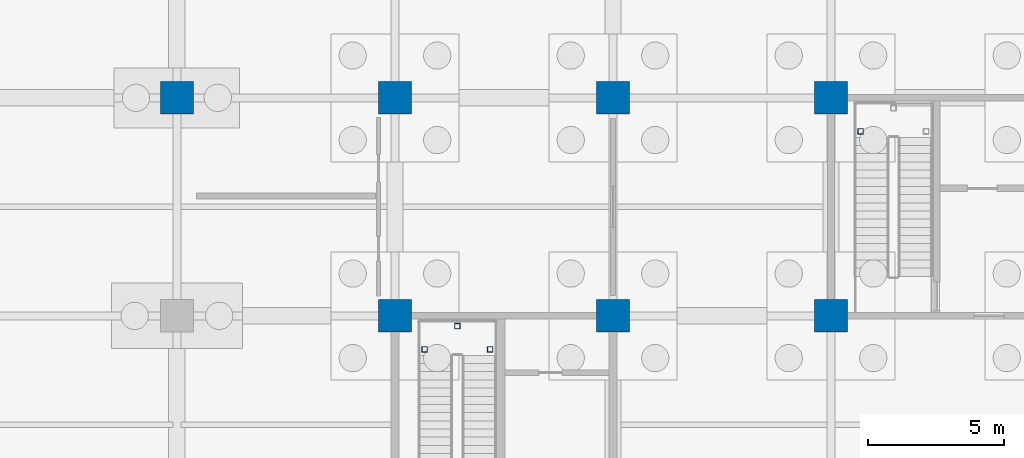
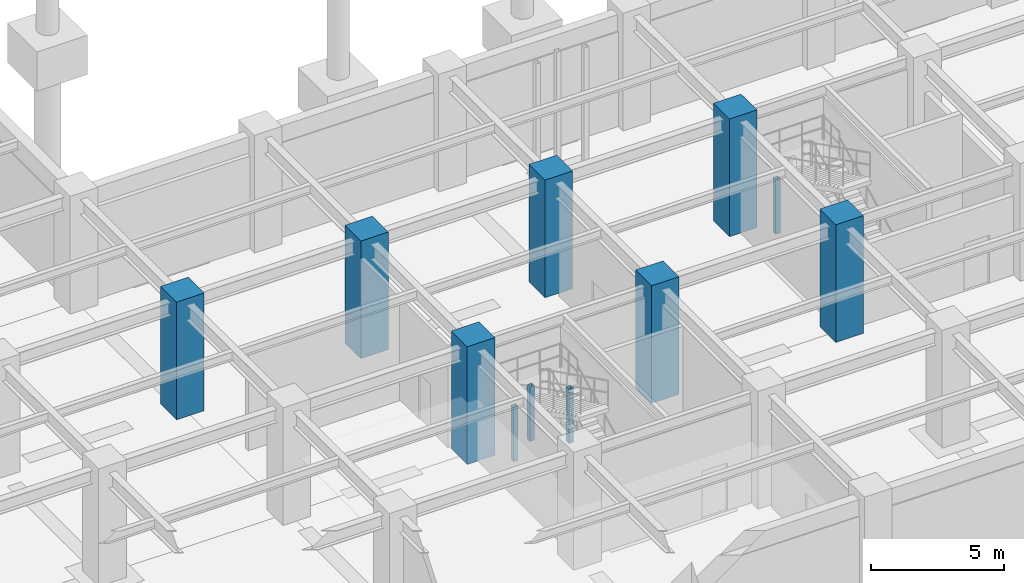
# One storey, part 24 of 97: 11 columns.
"""IFC4 building model written with IfcOpenShell, lengths in metres."""

from ifc_helpers import new_model, si_unit, direction, frame, origin, origin_2d, place, context, subcontext, project, spatial, rectangle, hollow_rectangle, extrude, material, material_profile, profile_set, type_object, element, save


model = new_model("IFC4")

# Units and contexts
model_context = context("Model", 3, precision=1e-05, world=origin(), true_north=direction((0.0, 1.0)))
body_context = subcontext(model_context, "Body", "Model", "MODEL_VIEW")
ifc_project = project(units=[si_unit("LENGTHUNIT", "METRE"), si_unit("AREAUNIT", "SQUARE_METRE"), si_unit("VOLUMEUNIT", "CUBIC_METRE"), si_unit("PLANEANGLEUNIT", "RADIAN"), si_unit("MASSUNIT", "GRAM", prefix="KILO")], contexts=[model_context])

# Site, building, storey
site_placement = place(None, origin())
site = spatial("IfcSite", under=ifc_project, at=site_placement, CompositionType="ELEMENT")
building_placement = place(site_placement, origin())
building = spatial("IfcBuilding", under=site, at=building_placement, Name="Haebicheon Civic Stadium", CompositionType="ELEMENT")
storey_placement = place(building_placement, frame((0.0, 0.0, -5.39990234375)))
storey = spatial("IfcBuildingStorey", under=building, at=storey_placement, Name="B1", CompositionType="ELEMENT", Elevation=-5.39990234375)

# Columns
ifc_material_1 = material(Name="Concrete C40/50", Category="concrete")
ifc_material_profile_1 = material_profile(ifc_material_1, rectangle(XDim=1.199951171875, YDim=1.199951171875, at=origin_2d()), Name="RC-COL-1200x1200")
ifc_profile_set_1 = profile_set([ifc_material_profile_1], Name="Concrete C40/50")
column_type_1 = type_object("IfcColumnType", Name="COL-RC-1200", PredefinedType="COLUMN", material=ifc_profile_set_1)
for number, where, z_axis, x_axis, name in (
    (1, (64.0, 24.0, 0.0), (0.0, 0.0, 1.0), (1.0, 0.0, 0.0), "B1 column 9/D"),
    (2, (72.0, 16.0, 0.0), (0.0, 0.0, 1.0), (1.0, 0.0, 0.0), "B1 column 10/C"),
    (3, (72.0, 24.0, 0.0), (0.0, 0.0, 1.0), (1.0, 0.0, 0.0), "B1 column 10/D"),
    (4, (80.0, 16.0, 0.0), (0.0, 0.0, 1.0), (1.0, 0.0, 0.0), "B1 column 11/C"),
    (5, (80.0, 24.0, 0.0), (0.0, 0.0, 1.0), (1.0, 0.0, 0.0), "B1 column 11/D"),
    (6, (88.0, 16.0, 0.0), (0.0, 0.0, 1.0), (1.0, 0.0, 0.0), "B1 column 12/C"),
    (7, (88.0, 24.0, 0.0), (0.0, 0.0, 1.0), (1.0, 0.0, 0.0), "B1 column 12/D"),
):
    element("IfcColumn", number, at=place(storey_placement, frame(where, z_axis=z_axis, x_axis=x_axis)), inside=storey, type_object=column_type_1, material=ifc_profile_set_1, Name=name, PredefinedType="COLUMN", context=body_context, shape_type="SweptSolid", body=[
        extrude(rectangle(XDim=1.199951171875, YDim=1.199951171875, at=origin_2d()), origin(), (0.0, 0.0, 1.0), 5.39990234375),
    ])
ifc_material_2 = material(Name="Steel SM355 (S355)", Category="steel")
ifc_material_profile_2 = material_profile(ifc_material_2, hollow_rectangle(XDim=0.199951171875, YDim=0.199951171875, WallThickness=0.009033203125, at=origin_2d()), Name="RHS-200x200x9.0")
ifc_profile_set_2 = profile_set([ifc_material_profile_2], Name="Steel SM355 (S355)")
column_type_2 = type_object("IfcColumnType", Name="COL-ST-RHS200", PredefinedType="COLUMN", material=ifc_profile_set_2)
for number, where, z_axis, x_axis, name in (
    (8, (89.090087890625, 22.77001953125, 0.0), (0.0, 0.0, 1.0), (1.0, 0.0, 0.0), "KC-06 B1 stair half-landing support post A"),
    (9, (73.090087890625, 14.77001953125, 0.0), (0.0, 0.0, 1.0), (1.0, 0.0, 0.0), "KC-16 B1 stair half-landing support post A"),
    (10, (75.489990234375, 14.77001953125, 0.0), (0.0, 0.0, 1.0), (1.0, 0.0, 0.0), "KC-16 B1 stair half-landing support post B"),
    (11, (74.2900390625, 15.6201171875, 0.0), (0.0, 0.0, 1.0), (1.0, 0.0, 0.0), "KC-16 B1 stair half-landing support post C"),
):
    element("IfcColumn", number, at=place(storey_placement, frame(where, z_axis=z_axis, x_axis=x_axis)), inside=storey, type_object=column_type_2, material=ifc_profile_set_2, Name=name, PredefinedType="COLUMN", context=body_context, shape_type="SweptSolid", body=[
        extrude(hollow_rectangle(XDim=0.199951171875, YDim=0.199951171875, WallThickness=0.009033203125, at=origin_2d()), origin(), (0.0, 0.0, 1.0), 2.5),
    ])

save(model, "model.ifc")
